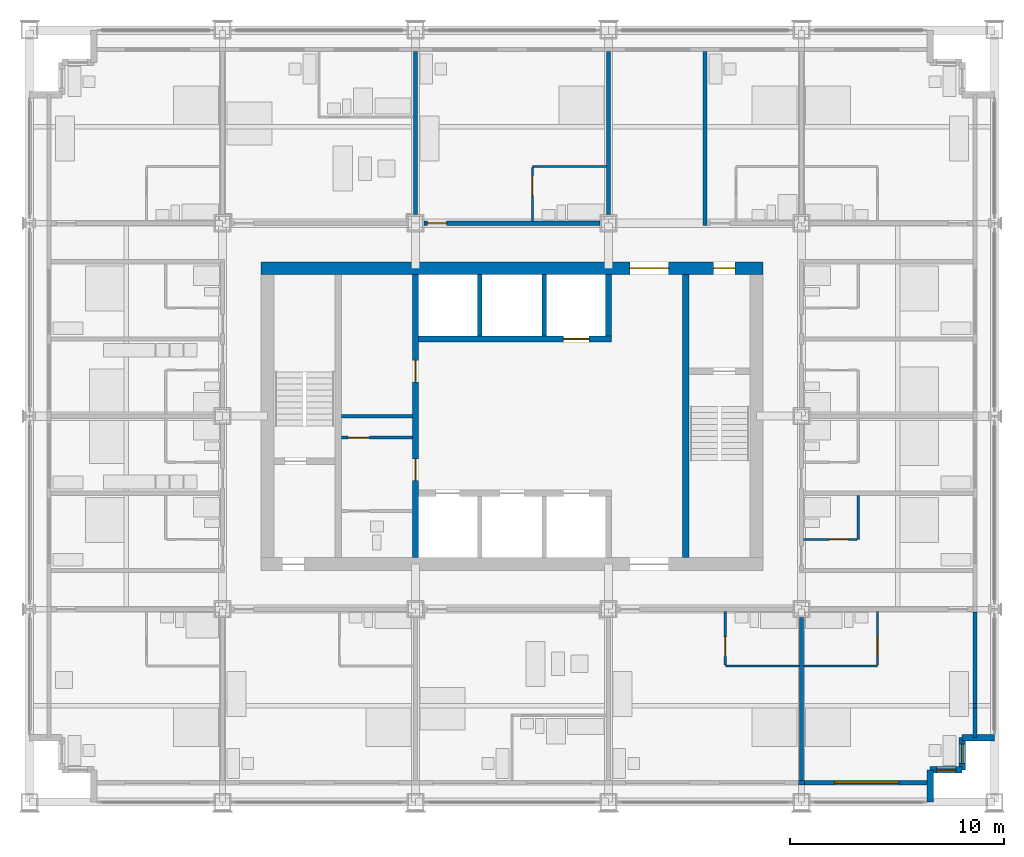
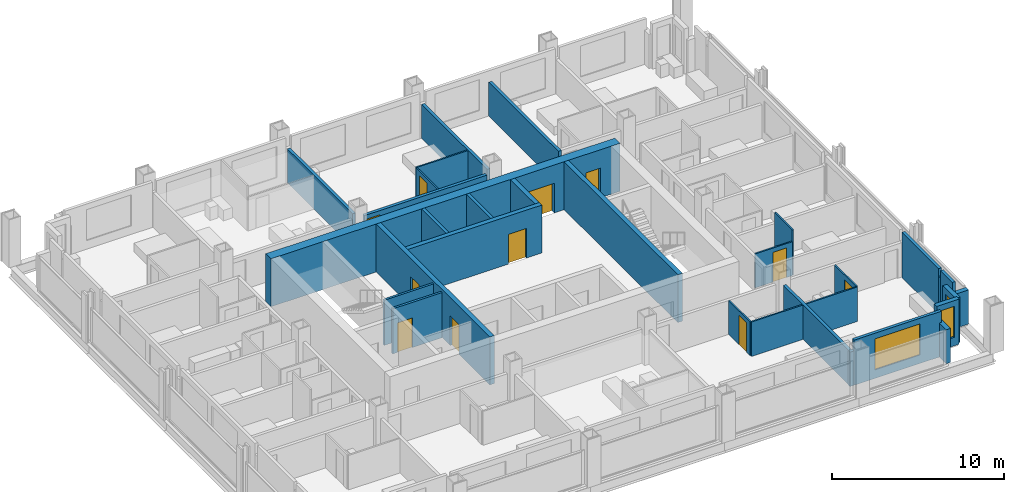
# One storey, part 11 of 16: 31 walls, 11 doors, 3 windows, 14 openings.
"""IFC4 building model written with IfcOpenShell, lengths in metres."""

from ifc_helpers import new_model, si_unit, direction, frame, frame_2d, origin, place, context, subcontext, project, spatial, rectangle, extrude, material, layer, layer_set, type_object, element, fill, save


model = new_model("IFC4")

# Units and contexts
model_context = context("Model", 3, precision=1e-05, world=origin(), true_north=direction((0.0, 1.0)))
body_context = subcontext(model_context, "Body", "Model", "MODEL_VIEW")
ifc_project = project(units=[si_unit("LENGTHUNIT", "METRE"), si_unit("AREAUNIT", "SQUARE_METRE"), si_unit("VOLUMEUNIT", "CUBIC_METRE"), si_unit("PLANEANGLEUNIT", "RADIAN"), si_unit("MASSUNIT", "GRAM", prefix="KILO")], contexts=[model_context])

# Site, building, storey
site_placement = place(None, origin())
site = spatial("IfcSite", under=ifc_project, at=site_placement, CompositionType="ELEMENT")
building_placement = place(site_placement, origin())
building = spatial("IfcBuilding", under=site, at=building_placement, Name="Loomwork Tower", CompositionType="ELEMENT")
storey_placement = place(building_placement, frame((0.0, 0.0, 114.60009765625)))
storey = spatial("IfcBuildingStorey", under=building, at=storey_placement, Name="L30", CompositionType="ELEMENT", Elevation=114.60009765625)

# Wall, openings, doors
ifc_material_1 = material(Name="Concrete 14000 psi (97 MPa)", Category="concrete")
ifc_layer_1 = layer(ifc_material_1, 0.300048828125)
ifc_layer_set_1 = layer_set([ifc_layer_1], Name="Core shear wall 300")
wall_type_1 = type_object("IfcWallType", Name="Core shear wall 300", PredefinedType="SHEAR", material=ifc_layer_set_1)
wall_1_placement = place(storey_placement, frame((18.0, 11.39990234375, 0.0), z_axis=(0.0, 0.0, 1.0), x_axis=(0.0, 1.0, 0.0)))
wall_1 = element("IfcWall", 1, at=wall_1_placement, inside=storey, type_object=wall_type_1, Name="Lobby west wall L30", PredefinedType="SHEAR", context=body_context, shape_type="SweptSolid", body=[
    extrude(rectangle(XDim=13.2001953125, YDim=0.300048828125, at=frame_2d((6.60009765625, 0.0))), origin(), (0.0, 0.0, 1.0), 3.39990234375),
])
opening_1_placement = place(wall_1_placement, frame((3.60009765625, 0.0, 0.0)))
opening_1 = element("IfcOpeningElement", 2, at=opening_1_placement, cuts=wall_1, Name="Opening D5", PredefinedType="OPENING", context=body_context, shape_type="SweptSolid", body=[
    extrude(rectangle(XDim=1.0, YDim=2.10009765625, at=frame_2d((0.5, 1.050048828125))), frame((0.0, 0.159912109375, 0.0), z_axis=(0.0, -1.0, 0.0), x_axis=(1.0, 0.0, 0.0)), (0.0, 0.0, 1.0), 0.320068359375),
])
opening_2_placement = place(wall_1_placement, frame((8.199951171875, 0.0, 0.0)))
opening_2 = element("IfcOpeningElement", 3, at=opening_2_placement, cuts=wall_1, Name="Opening D5", PredefinedType="OPENING", context=body_context, shape_type="SweptSolid", body=[
    extrude(rectangle(XDim=1.0, YDim=2.10009765625, at=frame_2d((0.5, 1.050048828125))), frame((0.0, 0.159912109375, 0.0), z_axis=(0.0, -1.0, 0.0), x_axis=(1.0, 0.0, 0.0)), (0.0, 0.0, 1.0), 0.320068359375),
])
ifc_material_2 = material(Name="Hollow metal door and frame")
door_type_1 = type_object("IfcDoorType", Name="Service door 1000", OperationType="SINGLE_SWING_LEFT", PredefinedType="DOOR", material=ifc_material_2)
door_1_placement = place(opening_1_placement, origin())
door_1 = element("IfcDoor", 4, at=door_1_placement, inside=storey, type_object=door_type_1, Name="Back-of-house door south", OperationType="SINGLE_SWING_LEFT", OverallHeight=2.10009765625, OverallWidth=1.0, PredefinedType="DOOR", context=body_context, shape_type="SweptSolid", body=[
    extrude(rectangle(XDim=1.0, YDim=2.10009765625, at=frame_2d((0.5, 1.050048828125))), frame((0.0, 0.02490234375, 0.0), z_axis=(0.0, -1.0, 0.0), x_axis=(1.0, 0.0, 0.0)), (0.0, 0.0, 1.0), 0.050048828125),
])
fill(opening_1, door_1)
door_2_placement = place(opening_2_placement, origin())
door_2 = element("IfcDoor", 5, at=door_2_placement, inside=storey, type_object=door_type_1, Name="Back-of-house door north", OperationType="SINGLE_SWING_RIGHT", OverallHeight=2.10009765625, OverallWidth=1.0, PredefinedType="DOOR", context=body_context, shape_type="SweptSolid", body=[
    extrude(rectangle(XDim=1.0, YDim=2.10009765625, at=frame_2d((0.5, 1.050048828125))), frame((0.0, 0.02490234375, 0.0), z_axis=(0.0, -1.0, 0.0), x_axis=(1.0, 0.0, 0.0)), (0.0, 0.0, 1.0), 0.050048828125),
])
fill(opening_2, door_2)

# Wall, opening, door
wall_2_placement = place(storey_placement, frame((18.14990234375, 21.60009765625, 0.0), z_axis=(0.0, 0.0, 1.0), x_axis=(1.0, 0.0, 0.0)))
wall_2 = element("IfcWall", 6, at=wall_2_placement, inside=storey, type_object=wall_type_1, Name="Lift front wall north L30", PredefinedType="SHEAR", context=body_context, shape_type="SweptSolid", body=[
    extrude(rectangle(XDim=9.0, YDim=0.300048828125, at=frame_2d((4.5, 0.0))), origin(), (0.0, 0.0, 1.0), 3.39990234375),
])
opening_3_placement = place(wall_2_placement, frame((6.75, 0.0, 0.0)))
opening_3 = element("IfcOpeningElement", 7, at=opening_3_placement, cuts=wall_2, Name="Opening LD2", PredefinedType="OPENING", context=body_context, shape_type="SweptSolid", body=[
    extrude(rectangle(XDim=1.199951171875, YDim=2.10009765625, at=frame_2d((0.60009765625, 1.050048828125))), frame((0.0, 0.159912109375, 0.0), z_axis=(0.0, -1.0, 0.0), x_axis=(1.0, 0.0, 0.0)), (0.0, 0.0, 1.0), 0.320068359375),
])
ifc_material_3 = material(Name="Hollow metal door and frame")
door_type_2 = type_object("IfcDoorType", Name="Lift landing door 1200", OperationType="SLIDING_TO_LEFT", PredefinedType="DOOR", material=ifc_material_3)
door_3_placement = place(opening_3_placement, origin())
door_3 = element("IfcDoor", 8, at=door_3_placement, inside=storey, type_object=door_type_2, Name="Lift landing door LF2", OperationType="SLIDING_TO_LEFT", OverallHeight=2.10009765625, OverallWidth=1.199951171875, PredefinedType="DOOR", context=body_context, shape_type="SweptSolid", body=[
    extrude(rectangle(XDim=1.199951171875, YDim=2.10009765625, at=frame_2d((0.60009765625, 1.050048828125))), frame((0.0, 0.02490234375, 0.0), z_axis=(0.0, -1.0, 0.0), x_axis=(1.0, 0.0, 0.0)), (0.0, 0.0, 1.0), 0.050048828125),
])
fill(opening_3, door_3)

# Walls
wall_3_placement = place(storey_placement, frame((27.0, 21.75, 0.0), z_axis=(0.0, 0.0, 1.0), x_axis=(0.0, 1.0, 0.0)))
element("IfcWall", 9, at=wall_3_placement, inside=storey, type_object=wall_type_1, Name="Lift shaft end wall north L30", PredefinedType="SHEAR", context=body_context, shape_type="SweptSolid", body=[
    extrude(rectangle(XDim=2.85009765625, YDim=0.300048828125, at=frame_2d((1.425048828125, 0.0))), origin(), (0.0, 0.0, 1.0), 3.39990234375),
])
wall_4_placement = place(storey_placement, frame((30.60009765625, 11.39990234375, 0.0), z_axis=(0.0, 0.0, 1.0), x_axis=(0.0, 1.0, 0.0)))
element("IfcWall", 10, at=wall_4_placement, inside=storey, type_object=wall_type_1, Name="Stair B west wall L30", PredefinedType="SHEAR", context=body_context, shape_type="SweptSolid", body=[
    extrude(rectangle(XDim=13.2001953125, YDim=0.300048828125, at=frame_2d((6.60009765625, 0.0))), origin(), (0.0, 0.0, 1.0), 3.39990234375),
])

# Wall, openings, doors
ifc_material_4 = material(Name="Concrete 14000 psi (97 MPa)", Category="concrete")
ifc_layer_2 = layer(ifc_material_4, 0.60009765625)
ifc_layer_set_2 = layer_set([ifc_layer_2], Name="Core shear wall 600")
wall_type_2 = type_object("IfcWallType", Name="Core shear wall 600", PredefinedType="SHEAR", material=ifc_layer_set_2)
wall_5_placement = place(storey_placement, frame((10.800048828125, 24.89990234375, 0.0), z_axis=(0.0, 0.0, 1.0), x_axis=(1.0, 0.0, 0.0)))
wall_5 = element("IfcWall", 11, at=wall_5_placement, inside=storey, type_object=wall_type_2, Name="Core wall north L30", PredefinedType="SHEAR", context=body_context, shape_type="SweptSolid", body=[
    extrude(rectangle(XDim=23.39990234375, YDim=0.60009765625, at=frame_2d((11.699951171875, 0.0))), origin(), (0.0, 0.0, 1.0), 3.39990234375),
])
opening_4_placement = place(wall_5_placement, frame((17.199951171875, 0.0, 0.0)))
opening_4 = element("IfcOpeningElement", 12, at=opening_4_placement, cuts=wall_5, Name="Opening D6", PredefinedType="OPENING", context=body_context, shape_type="SweptSolid", body=[
    extrude(rectangle(XDim=1.800048828125, YDim=2.10009765625, at=frame_2d((0.89990234375, 1.050048828125))), frame((0.0, 0.31005859375, 0.0), z_axis=(0.0, -1.0, 0.0), x_axis=(1.0, 0.0, 0.0)), (0.0, 0.0, 1.0), 0.6201171875),
])
opening_5_placement = place(wall_5_placement, frame((21.10009765625, 0.0, 0.0)))
opening_5 = element("IfcOpeningElement", 13, at=opening_5_placement, cuts=wall_5, Name="Opening D4", PredefinedType="OPENING", context=body_context, shape_type="SweptSolid", body=[
    extrude(rectangle(XDim=1.0, YDim=2.10009765625, at=frame_2d((0.5, 1.050048828125))), frame((0.0, 0.31005859375, 0.0), z_axis=(0.0, -1.0, 0.0), x_axis=(1.0, 0.0, 0.0)), (0.0, 0.0, 1.0), 0.6201171875),
])
ifc_material_5 = material(Name="Hollow metal door and frame")
door_type_3 = type_object("IfcDoorType", Name="Lobby passage double door 1800", OperationType="DOUBLE_DOOR_SINGLE_SWING", PredefinedType="DOOR", material=ifc_material_5)
door_4_placement = place(opening_4_placement, frame((1.800048828125, 0.0, 0.0), z_axis=(0.0, 0.0, 1.0), x_axis=(-1.0, 0.0, 0.0)))
door_4 = element("IfcDoor", 14, at=door_4_placement, inside=storey, type_object=door_type_3, Name="Lobby passage door north", OperationType="DOUBLE_DOOR_SINGLE_SWING", OverallHeight=2.10009765625, OverallWidth=1.800048828125, PredefinedType="DOOR", context=body_context, shape_type="SweptSolid", body=[
    extrude(rectangle(XDim=1.800048828125, YDim=2.10009765625, at=frame_2d((0.89990234375, 1.050048828125))), frame((0.0, 0.02490234375, 0.0), z_axis=(0.0, -1.0, 0.0), x_axis=(1.0, 0.0, 0.0)), (0.0, 0.0, 1.0), 0.050048828125),
])
fill(opening_4, door_4)
ifc_material_6 = material(Name="Hollow metal door and frame")
door_type_4 = type_object("IfcDoorType", Name="Stair door 1000", OperationType="SINGLE_SWING_RIGHT", PredefinedType="DOOR", material=ifc_material_6)
door_5_placement = place(opening_5_placement, frame((1.0, 0.0, 0.0), z_axis=(0.0, 0.0, 1.0), x_axis=(-1.0, 0.0, 0.0)))
door_5 = element("IfcDoor", 15, at=door_5_placement, inside=storey, type_object=door_type_4, Name="Stair B vestibule door", OperationType="SINGLE_SWING_LEFT", OverallHeight=2.10009765625, OverallWidth=1.0, PredefinedType="DOOR", context=body_context, shape_type="SweptSolid", body=[
    extrude(rectangle(XDim=1.0, YDim=2.10009765625, at=frame_2d((0.5, 1.050048828125))), frame((0.0, 0.02490234375, 0.0), z_axis=(0.0, -1.0, 0.0), x_axis=(1.0, 0.0, 0.0)), (0.0, 0.0, 1.0), 0.050048828125),
])
fill(opening_5, door_5)

# Wall, opening, door
ifc_material_7 = material(Name="Gypsum board on steel studs, one-hour", Category="steel")
ifc_layer_3 = layer(ifc_material_7, 0.199951171875)
ifc_layer_set_3 = layer_set([ifc_layer_3], Name="Corridor wall 200")
wall_type_3 = type_object("IfcWallType", Name="Corridor wall 200", PredefinedType="PARTITIONING", material=ifc_layer_set_3)
wall_6_placement = place(storey_placement, frame((18.39990234375, 27.0, 0.0), z_axis=(0.0, 0.0, 1.0), x_axis=(1.0, 0.0, 0.0)))
wall_6 = element("IfcWall", 16, at=wall_6_placement, inside=storey, type_object=wall_type_3, Name="North corridor wall 3", PredefinedType="PARTITIONING", context=body_context, shape_type="SweptSolid", body=[
    extrude(rectangle(XDim=8.2001953125, YDim=0.199951171875, at=frame_2d((4.10009765625, 0.0))), origin(), (0.0, 0.0, 1.0), 2.40478515625),
])
opening_6_placement = place(wall_6_placement, frame((0.14990234375, 0.0, 0.0)))
opening_6 = element("IfcOpeningElement", 17, at=opening_6_placement, cuts=wall_6, Name="Opening D1", PredefinedType="OPENING", context=body_context, shape_type="SweptSolid", body=[
    extrude(rectangle(XDim=0.89990234375, YDim=2.10009765625, at=frame_2d((0.449951171875, 1.050048828125))), frame((0.0, 0.10986328125, 0.0), z_axis=(0.0, -1.0, 0.0), x_axis=(1.0, 0.0, 0.0)), (0.0, 0.0, 1.0), 0.219970703125),
])
ifc_material_8 = material(Name="Hollow metal door and frame")
door_type_5 = type_object("IfcDoorType", Name="Guest room entry door 900", OperationType="SINGLE_SWING_LEFT", PredefinedType="DOOR", material=ifc_material_8)
door_6_placement = place(opening_6_placement, origin())
door_6 = element("IfcDoor", 18, at=door_6_placement, inside=storey, type_object=door_type_5, Name="Guest room entry door L30 8", OperationType="SINGLE_SWING_LEFT", OverallHeight=2.10009765625, OverallWidth=0.89990234375, PredefinedType="DOOR", context=body_context, shape_type="SweptSolid", body=[
    extrude(rectangle(XDim=0.89990234375, YDim=2.10009765625, at=frame_2d((0.449951171875, 1.050048828125))), frame((0.0, 0.02490234375, 0.0), z_axis=(0.0, -1.0, 0.0), x_axis=(1.0, 0.0, 0.0)), (0.0, 0.0, 1.0), 0.050048828125),
])
fill(opening_6, door_6)

# Wall
ifc_material_9 = material(Name="Cement board on steel studs", Category="steel")
ifc_layer_4 = layer(ifc_material_9, 0.10009765625)
ifc_layer_set_4 = layer_set([ifc_layer_4], Name="En-suite partition 100")
wall_type_4 = type_object("IfcWallType", Name="En-suite partition 100", PredefinedType="PARTITIONING", material=ifc_layer_set_4)
wall_7_placement = place(storey_placement, frame((32.449951171875, 6.35009765625, 0.0), z_axis=(0.0, 0.0, 1.0), x_axis=(1.0, 0.0, 0.0)))
element("IfcWall", 19, at=wall_7_placement, inside=storey, type_object=wall_type_4, Name="En-suite wall L30 room 4", PredefinedType="PARTITIONING", context=body_context, shape_type="SweptSolid", body=[
    extrude(rectangle(XDim=3.449951171875, YDim=0.10009765625, at=frame_2d((1.72509765625, 0.0))), origin(), (0.0, 0.0, 1.0), 2.43798828125),
])

# Wall, opening, door
wall_8_placement = place(storey_placement, frame((32.449951171875, 8.89990234375, 0.0), z_axis=(0.0, 0.0, 1.0), x_axis=(0.0, -1.0, 0.0)))
wall_8 = element("IfcWall", 20, at=wall_8_placement, inside=storey, type_object=wall_type_4, Name="En-suite side wall L30 room 4", PredefinedType="PARTITIONING", context=body_context, shape_type="SweptSolid", body=[
    extrude(rectangle(XDim=2.5, YDim=0.10009765625, at=frame_2d((1.25, 0.0))), origin(), (0.0, 0.0, 1.0), 2.40380859375),
])
opening_7_placement = place(wall_8_placement, frame((1.199951171875, 0.0, 0.0)))
opening_7 = element("IfcOpeningElement", 21, at=opening_7_placement, cuts=wall_8, Name="Opening D2", PredefinedType="OPENING", context=body_context, shape_type="SweptSolid", body=[
    extrude(rectangle(XDim=0.89990234375, YDim=2.10009765625, at=frame_2d((0.449951171875, 1.050048828125))), frame((0.0, 0.06005859375, 0.0), z_axis=(0.0, -1.0, 0.0), x_axis=(1.0, 0.0, 0.0)), (0.0, 0.0, 1.0), 0.1201171875),
])
ifc_material_10 = material(Name="Hollow metal door and frame")
door_type_6 = type_object("IfcDoorType", Name="En-suite door 900", OperationType="SINGLE_SWING_LEFT", PredefinedType="DOOR", material=ifc_material_10)
door_7_placement = place(opening_7_placement, origin())
door_7 = element("IfcDoor", 22, at=door_7_placement, inside=storey, type_object=door_type_6, Name="En-suite door room 4", OperationType="SINGLE_SWING_RIGHT", OverallHeight=2.10009765625, OverallWidth=0.89990234375, PredefinedType="DOOR", context=body_context, shape_type="SweptSolid", body=[
    extrude(rectangle(XDim=0.89990234375, YDim=2.10009765625, at=frame_2d((0.449951171875, 1.050048828125))), frame((0.0, 0.02490234375, 0.0), z_axis=(0.0, -1.0, 0.0), x_axis=(1.0, 0.0, 0.0)), (0.0, 0.0, 1.0), 0.050048828125),
])
fill(opening_7, door_7)

# Wall
wall_9_placement = place(storey_placement, frame((36.10009765625, 6.35009765625, 0.0), z_axis=(0.0, 0.0, 1.0), x_axis=(1.0, 0.0, 0.0)))
element("IfcWall", 23, at=wall_9_placement, inside=storey, type_object=wall_type_4, Name="En-suite wall L30 room 5", PredefinedType="PARTITIONING", context=body_context, shape_type="SweptSolid", body=[
    extrude(rectangle(XDim=3.449951171875, YDim=0.10009765625, at=frame_2d((1.72509765625, 0.0))), origin(), (0.0, 0.0, 1.0), 2.43798828125),
])

# Wall, opening, door
wall_10_placement = place(storey_placement, frame((39.550048828125, 8.89990234375, 0.0), z_axis=(0.0, 0.0, 1.0), x_axis=(0.0, -1.0, 0.0)))
wall_10 = element("IfcWall", 24, at=wall_10_placement, inside=storey, type_object=wall_type_4, Name="En-suite side wall L30 room 5", PredefinedType="PARTITIONING", context=body_context, shape_type="SweptSolid", body=[
    extrude(rectangle(XDim=2.5, YDim=0.10009765625, at=frame_2d((1.25, 0.0))), origin(), (0.0, 0.0, 1.0), 2.43798828125),
])
opening_8_placement = place(wall_10_placement, frame((1.199951171875, 0.0, 0.0)))
opening_8 = element("IfcOpeningElement", 25, at=opening_8_placement, cuts=wall_10, Name="Opening D2", PredefinedType="OPENING", context=body_context, shape_type="SweptSolid", body=[
    extrude(rectangle(XDim=0.89990234375, YDim=2.10009765625, at=frame_2d((0.449951171875, 1.050048828125))), frame((0.0, 0.06005859375, 0.0), z_axis=(0.0, -1.0, 0.0), x_axis=(1.0, 0.0, 0.0)), (0.0, 0.0, 1.0), 0.1201171875),
])
door_8_placement = place(opening_8_placement, frame((0.89990234375, 0.0, 0.0), z_axis=(0.0, 0.0, 1.0), x_axis=(-1.0, 0.0, 0.0)))
door_8 = element("IfcDoor", 26, at=door_8_placement, inside=storey, type_object=door_type_6, Name="En-suite door room 5", OperationType="SINGLE_SWING_LEFT", OverallHeight=2.10009765625, OverallWidth=0.89990234375, PredefinedType="DOOR", context=body_context, shape_type="SweptSolid", body=[
    extrude(rectangle(XDim=0.89990234375, YDim=2.10009765625, at=frame_2d((0.449951171875, 1.050048828125))), frame((0.0, 0.02490234375, 0.0), z_axis=(0.0, -1.0, 0.0), x_axis=(1.0, 0.0, 0.0)), (0.0, 0.0, 1.0), 0.050048828125),
])
fill(opening_8, door_8)

# Wall
wall_11_placement = place(storey_placement, frame((23.449951171875, 29.64990234375, 0.0), z_axis=(0.0, 0.0, 1.0), x_axis=(1.0, 0.0, 0.0)))
element("IfcWall", 27, at=wall_11_placement, inside=storey, type_object=wall_type_4, Name="En-suite wall L30 room 8", PredefinedType="PARTITIONING", context=body_context, shape_type="SweptSolid", body=[
    extrude(rectangle(XDim=3.449951171875, YDim=0.10009765625, at=frame_2d((1.72509765625, 0.0))), origin(), (0.0, 0.0, 1.0), 2.40380859375),
])

# Wall, opening, door
wall_12_placement = place(storey_placement, frame((23.449951171875, 27.10009765625, 0.0), z_axis=(0.0, 0.0, 1.0), x_axis=(0.0, 1.0, 0.0)))
wall_12 = element("IfcWall", 28, at=wall_12_placement, inside=storey, type_object=wall_type_4, Name="En-suite side wall L30 room 8", PredefinedType="PARTITIONING", context=body_context, shape_type="SweptSolid", body=[
    extrude(rectangle(XDim=2.5, YDim=0.10009765625, at=frame_2d((1.25, 0.0))), origin(), (0.0, 0.0, 1.0), 2.40380859375),
])
opening_9_placement = place(wall_12_placement, frame((1.199951171875, 0.0, 0.0)))
opening_9 = element("IfcOpeningElement", 29, at=opening_9_placement, cuts=wall_12, Name="Opening D2", PredefinedType="OPENING", context=body_context, shape_type="SweptSolid", body=[
    extrude(rectangle(XDim=0.89990234375, YDim=2.10009765625, at=frame_2d((0.449951171875, 1.050048828125))), frame((0.0, 0.06005859375, 0.0), z_axis=(0.0, -1.0, 0.0), x_axis=(1.0, 0.0, 0.0)), (0.0, 0.0, 1.0), 0.1201171875),
])
door_9_placement = place(opening_9_placement, frame((0.89990234375, 0.0, 0.0), z_axis=(0.0, 0.0, 1.0), x_axis=(-1.0, 0.0, 0.0)))
door_9 = element("IfcDoor", 30, at=door_9_placement, inside=storey, type_object=door_type_6, Name="En-suite door room 8", OperationType="SINGLE_SWING_LEFT", OverallHeight=2.10009765625, OverallWidth=0.89990234375, PredefinedType="DOOR", context=body_context, shape_type="SweptSolid", body=[
    extrude(rectangle(XDim=0.89990234375, YDim=2.10009765625, at=frame_2d((0.449951171875, 1.050048828125))), frame((0.0, 0.02490234375, 0.0), z_axis=(0.0, -1.0, 0.0), x_axis=(1.0, 0.0, 0.0)), (0.0, 0.0, 1.0), 0.050048828125),
])
fill(opening_9, door_9)

# Wall
wall_13_placement = place(storey_placement, frame((38.64990234375, 12.25, 0.0), z_axis=(0.0, 0.0, 1.0), x_axis=(0.0, 1.0, 0.0)))
element("IfcWall", 31, at=wall_13_placement, inside=storey, type_object=wall_type_4, Name="En-suite wall L30 room 15", PredefinedType="PARTITIONING", context=body_context, shape_type="SweptSolid", body=[
    extrude(rectangle(XDim=2.050048828125, YDim=0.10009765625, at=frame_2d((1.02490234375, 0.0))), origin(), (0.0, 0.0, 1.0), 3.199951171875),
])

# Wall, opening, door
wall_14_placement = place(storey_placement, frame((36.10009765625, 12.25, 0.0), z_axis=(0.0, 0.0, 1.0), x_axis=(1.0, 0.0, 0.0)))
wall_14 = element("IfcWall", 32, at=wall_14_placement, inside=storey, type_object=wall_type_4, Name="En-suite side wall L30 room 15", PredefinedType="PARTITIONING", context=body_context, shape_type="SweptSolid", body=[
    extrude(rectangle(XDim=2.5, YDim=0.10009765625, at=frame_2d((1.25, 0.0))), origin(), (0.0, 0.0, 1.0), 2.40380859375),
])
opening_10_placement = place(wall_14_placement, frame((1.199951171875, 0.0, 0.0)))
opening_10 = element("IfcOpeningElement", 33, at=opening_10_placement, cuts=wall_14, Name="Opening D2", PredefinedType="OPENING", context=body_context, shape_type="SweptSolid", body=[
    extrude(rectangle(XDim=0.89990234375, YDim=2.10009765625, at=frame_2d((0.449951171875, 1.050048828125))), frame((0.0, 0.06005859375, 0.0), z_axis=(0.0, -1.0, 0.0), x_axis=(1.0, 0.0, 0.0)), (0.0, 0.0, 1.0), 0.1201171875),
])
door_10_placement = place(opening_10_placement, origin())
door_10 = element("IfcDoor", 34, at=door_10_placement, inside=storey, type_object=door_type_6, Name="En-suite door room 15", OperationType="SINGLE_SWING_RIGHT", OverallHeight=2.10009765625, OverallWidth=0.89990234375, PredefinedType="DOOR", context=body_context, shape_type="SweptSolid", body=[
    extrude(rectangle(XDim=0.89990234375, YDim=2.10009765625, at=frame_2d((0.449951171875, 1.050048828125))), frame((0.0, 0.02490234375, 0.0), z_axis=(0.0, -1.0, 0.0), x_axis=(1.0, 0.0, 0.0)), (0.0, 0.0, 1.0), 0.050048828125),
])
fill(opening_10, door_10)

# Walls
ifc_material_11 = material(Name="Gypsum board on steel studs, acoustic", Category="steel")
ifc_layer_5 = layer(ifc_material_11, 0.199951171875)
ifc_layer_set_5 = layer_set([ifc_layer_5], Name="Guest room party wall 200")
wall_type_5 = type_object("IfcWallType", Name="Guest room party wall 200", PredefinedType="PARTITIONING", material=ifc_layer_set_5)
wall_15_placement = place(storey_placement, frame((36.0, 8.60009765625, 0.0), z_axis=(0.0, 0.0, 1.0), x_axis=(0.0, -1.0, 0.0)))
element("IfcWall", 35, at=wall_15_placement, inside=storey, type_object=wall_type_5, Name="Guest room party wall S 36", PredefinedType="PARTITIONING", context=body_context, shape_type="SweptSolid", body=[
    extrude(rectangle(XDim=7.60009765625, YDim=0.199951171875, at=frame_2d((3.800048828125, 0.0))), origin(), (0.0, 0.0, 1.0), 2.43798828125),
])
for number, where, z_axis, x_axis, name in (
    (36, (18.0, 27.39990234375, 0.0), (0.0, 0.0, 1.0), (0.0, 1.0, 0.0), "Guest room party wall N 18"),
    (37, (27.0, 27.39990234375, 0.0), (0.0, 0.0, 1.0), (0.0, 1.0, 0.0), "Guest room party wall N 27"),
):
    element("IfcWall", number, at=place(storey_placement, frame(where, z_axis=z_axis, x_axis=x_axis)), inside=storey, type_object=wall_type_5, Name=name, PredefinedType="PARTITIONING", context=body_context, shape_type="SweptSolid", body=[
        extrude(rectangle(XDim=7.60009765625, YDim=0.199951171875, at=frame_2d((3.800048828125, 0.0))), origin(), (0.0, 0.0, 1.0), 2.40478515625),
    ])
wall_16_placement = place(storey_placement, frame((31.5, 26.89990234375, 0.0), z_axis=(0.0, 0.0, 1.0), x_axis=(0.0, 1.0, 0.0)))
element("IfcWall", 38, at=wall_16_placement, inside=storey, type_object=wall_type_5, Name="Guest room party wall N 31.5", PredefinedType="PARTITIONING", context=body_context, shape_type="SweptSolid", body=[
    extrude(rectangle(XDim=8.10009765625, YDim=0.199951171875, at=frame_2d((4.050048828125, 0.0))), origin(), (0.0, 0.0, 1.0), 2.40380859375),
])
ifc_material_12 = material(Name="Insulated steel stud wall with gypsum lining", Category="steel")
ifc_layer_6 = layer(ifc_material_12, 0.199951171875)
ifc_layer_set_6 = layer_set([ifc_layer_6], Name="Inner skin wall 200")
wall_type_6 = type_object("IfcWallType", Name="Inner skin wall 200", PredefinedType="SOLIDWALL", material=ifc_layer_set_6)
wall_17_placement = place(storey_placement, frame((44.10009765625, 3.0, 0.0), z_axis=(0.0, 0.0, 1.0), x_axis=(0.0, 1.0, 0.0)))
element("IfcWall", 39, at=wall_17_placement, inside=storey, type_object=wall_type_6, Name="Inner skin wall E", PredefinedType="SOLIDWALL", context=body_context, shape_type="SweptSolid", body=[
    extrude(rectangle(XDim=1.392578125, YDim=0.199951171875, at=frame_2d((0.6962890625, 0.0))), origin(), (0.0, 0.0, 1.0), 3.199951171875),
])
wall_18_placement = place(storey_placement, frame((35.864501953125, 0.89990234375, 0.0), z_axis=(0.0, 0.0, 1.0), x_axis=(1.0, 0.0, 0.0)))
element("IfcWall", 40, at=wall_18_placement, inside=storey, type_object=wall_type_6, Name="Inner skin wall S bay 8", PredefinedType="SOLIDWALL", context=body_context, shape_type="SweptSolid", body=[
    extrude(rectangle(XDim=0.27099609375, YDim=0.199951171875, at=frame_2d((0.135498046875, 0.0))), origin(), (0.0, 0.0, 1.0), 2.43798828125),
])

# Wall, opening, window
wall_19_placement = place(storey_placement, frame((36.135498046875, 0.89990234375, 0.0), z_axis=(0.0, 0.0, 1.0), x_axis=(1.0, 0.0, 0.0)))
wall_19 = element("IfcWall", 41, at=wall_19_placement, inside=storey, type_object=wall_type_6, Name="Inner skin wall S bay 9", PredefinedType="SOLIDWALL", context=body_context, shape_type="SweptSolid", body=[
    extrude(rectangle(XDim=5.864501953125, YDim=0.199951171875, at=frame_2d((2.93212890625, 0.0))), origin(), (0.0, 0.0, 1.0), 3.199951171875),
])
opening_11_placement = place(wall_19_placement, frame((1.41455078125, 0.0, 0.60009765625)))
opening_11 = element("IfcOpeningElement", 42, at=opening_11_placement, cuts=wall_19, Name="Opening CH1", PredefinedType="OPENING", context=body_context, shape_type="SweptSolid", body=[
    extrude(rectangle(XDim=3.0, YDim=2.199951171875, at=frame_2d((1.5, 1.10009765625))), frame((0.0, 0.10986328125, 0.0), z_axis=(0.0, -1.0, 0.0), x_axis=(1.0, 0.0, 0.0)), (0.0, 0.0, 1.0), 0.219970703125),
])
ifc_material_13 = material(Name="Aluminium frame with clear insulated glass", Category="aluminium")
window_type_1 = type_object("IfcWindowType", Name="Chicago window 3000", PartitioningType="TRIPLE_PANEL_VERTICAL", PredefinedType="WINDOW", material=ifc_material_13)
window_1_placement = place(opening_11_placement, origin())
window_1 = element("IfcWindow", 43, at=window_1_placement, inside=storey, type_object=window_type_1, Name="Chicago window L30 bay 5", OverallHeight=2.199951171875, OverallWidth=3.0, PartitioningType="TRIPLE_PANEL_VERTICAL", PredefinedType="WINDOW", context=body_context, shape_type="SweptSolid", body=[
    extrude(rectangle(XDim=3.0, YDim=2.199951171875, at=frame_2d((1.5, 1.10009765625))), frame((0.0, 0.030029296875, 0.0), z_axis=(0.0, -1.0, 0.0), x_axis=(1.0, 0.0, 0.0)), (0.0, 0.0, 1.0), 0.06005859375),
])
fill(opening_11, window_1)

# Walls
wall_20_placement = place(storey_placement, frame((44.10009765625, 4.392578125, 0.0), z_axis=(0.0, 0.0, 1.0), x_axis=(0.0, 1.0, 0.0)))
element("IfcWall", 44, at=wall_20_placement, inside=storey, type_object=wall_type_6, Name="Inner skin wall E bay 2", PredefinedType="SOLIDWALL", context=body_context, shape_type="SweptSolid", body=[
    extrude(rectangle(XDim=0.21484375, YDim=0.199951171875, at=frame_2d((0.107421875, 0.0))), origin(), (0.0, 0.0, 1.0), 2.660888671875),
])
wall_21_placement = place(storey_placement, frame((44.10009765625, 4.607421875, 0.0), z_axis=(0.0, 0.0, 1.0), x_axis=(0.0, 1.0, 0.0)))
element("IfcWall", 45, at=wall_21_placement, inside=storey, type_object=wall_type_6, Name="Inner skin wall E bay 3", PredefinedType="SOLIDWALL", context=body_context, shape_type="SweptSolid", body=[
    extrude(rectangle(XDim=4.25732421875, YDim=0.199951171875, at=frame_2d((2.128662109375, 0.0))), origin(), (0.0, 0.0, 1.0), 3.199951171875),
])
ifc_material_14 = material(Name="Concrete 14000 psi (97 MPa)", Category="concrete")
ifc_layer_7 = layer(ifc_material_14, 0.199951171875)
ifc_layer_set_7 = layer_set([ifc_layer_7], Name="Lift shaft wall 200")
wall_type_7 = type_object("IfcWallType", Name="Lift shaft wall 200", PredefinedType="SHEAR", material=ifc_layer_set_7)
for number, where, z_axis, x_axis, name in (
    (46, (21.0, 21.75, 0.0), (0.0, 0.0, 1.0), (0.0, 1.0, 0.0), "Lift shaft separation wall north 1 L30"),
    (47, (24.0, 21.75, 0.0), (0.0, 0.0, 1.0), (0.0, 1.0, 0.0), "Lift shaft separation wall north 2 L30"),
):
    element("IfcWall", number, at=place(storey_placement, frame(where, z_axis=z_axis, x_axis=x_axis)), inside=storey, type_object=wall_type_7, Name=name, PredefinedType="SHEAR", context=body_context, shape_type="SweptSolid", body=[
        extrude(rectangle(XDim=2.85009765625, YDim=0.199951171875, at=frame_2d((1.425048828125, 0.0))), origin(), (0.0, 0.0, 1.0), 3.39990234375),
    ])
ifc_material_15 = material(Name="Limestone on concrete masonry", Category="masonry")
ifc_layer_8 = layer(ifc_material_15, 0.300048828125)
ifc_layer_set_8 = layer_set([ifc_layer_8], Name="Limestone corner wall 300")
wall_type_8 = type_object("IfcWallType", Name="Limestone corner wall 300", PredefinedType="SOLIDWALL", material=ifc_layer_set_8)
wall_22_placement = place(storey_placement, frame((42.0, 0.0, 0.0), z_axis=(0.0, 0.0, 1.0), x_axis=(0.0, 1.0, 0.0)))
element("IfcWall", 48, at=wall_22_placement, inside=storey, type_object=wall_type_8, Name="Stone corner wall SE 1", PredefinedType="SOLIDWALL", context=body_context, shape_type="SweptSolid", body=[
    extrude(rectangle(XDim=1.5, YDim=0.300048828125, at=frame_2d((0.75, 0.0))), origin(), (0.0, 0.0, 1.0), 2.419921875),
])

# Wall, opening, window
wall_23_placement = place(storey_placement, frame((42.0, 1.5, 0.0), z_axis=(0.0, 0.0, 1.0), x_axis=(1.0, 0.0, 0.0)))
wall_23 = element("IfcWall", 49, at=wall_23_placement, inside=storey, type_object=wall_type_8, Name="Stone corner wall SE 2", PredefinedType="SOLIDWALL", context=body_context, shape_type="SweptSolid", body=[
    extrude(rectangle(XDim=1.5, YDim=0.300048828125, at=frame_2d((0.75, 0.0))), origin(), (0.0, 0.0, 1.0), 3.199951171875),
])
opening_12_placement = place(wall_23_placement, frame((0.300048828125, 0.0, 0.60009765625)))
opening_12 = element("IfcOpeningElement", 50, at=opening_12_placement, cuts=wall_23, Name="Opening CH2", PredefinedType="OPENING", context=body_context, shape_type="SweptSolid", body=[
    extrude(rectangle(XDim=0.89990234375, YDim=2.199951171875, at=frame_2d((0.449951171875, 1.10009765625))), frame((0.0, 0.159912109375, 0.0), z_axis=(0.0, -1.0, 0.0), x_axis=(1.0, 0.0, 0.0)), (0.0, 0.0, 1.0), 0.320068359375),
])
ifc_material_16 = material(Name="Aluminium frame with clear insulated glass", Category="aluminium")
window_type_2 = type_object("IfcWindowType", Name="Corner window 900", PartitioningType="SINGLE_PANEL", PredefinedType="WINDOW", material=ifc_material_16)
window_2_placement = place(opening_12_placement, origin())
window_2 = element("IfcWindow", 51, at=window_2_placement, inside=storey, type_object=window_type_2, Name="Corner window SE", OverallHeight=2.199951171875, OverallWidth=0.89990234375, PartitioningType="SINGLE_PANEL", PredefinedType="WINDOW", context=body_context, shape_type="SweptSolid", body=[
    extrude(rectangle(XDim=0.89990234375, YDim=2.199951171875, at=frame_2d((0.449951171875, 1.10009765625))), frame((0.0, 0.030029296875, 0.0), z_axis=(0.0, -1.0, 0.0), x_axis=(1.0, 0.0, 0.0)), (0.0, 0.0, 1.0), 0.06005859375),
])
fill(opening_12, window_2)

wall_24_placement = place(storey_placement, frame((43.5, 1.5, 0.0), z_axis=(0.0, 0.0, 1.0), x_axis=(0.0, 1.0, 0.0)))
wall_24 = element("IfcWall", 52, at=wall_24_placement, inside=storey, type_object=wall_type_8, Name="Stone corner wall SE 3", PredefinedType="SOLIDWALL", context=body_context, shape_type="SweptSolid", body=[
    extrude(rectangle(XDim=1.5, YDim=0.300048828125, at=frame_2d((0.75, 0.0))), origin(), (0.0, 0.0, 1.0), 3.199951171875),
])
opening_13_placement = place(wall_24_placement, frame((0.300048828125, 0.0, 0.60009765625)))
opening_13 = element("IfcOpeningElement", 53, at=opening_13_placement, cuts=wall_24, Name="Opening CH2", PredefinedType="OPENING", context=body_context, shape_type="SweptSolid", body=[
    extrude(rectangle(XDim=0.89990234375, YDim=2.199951171875, at=frame_2d((0.449951171875, 1.10009765625))), frame((0.0, 0.159912109375, 0.0), z_axis=(0.0, -1.0, 0.0), x_axis=(1.0, 0.0, 0.0)), (0.0, 0.0, 1.0), 0.320068359375),
])
window_3_placement = place(opening_13_placement, origin())
window_3 = element("IfcWindow", 54, at=window_3_placement, inside=storey, type_object=window_type_2, Name="Corner window SE", OverallHeight=2.199951171875, OverallWidth=0.89990234375, PartitioningType="SINGLE_PANEL", PredefinedType="WINDOW", context=body_context, shape_type="SweptSolid", body=[
    extrude(rectangle(XDim=0.89990234375, YDim=2.199951171875, at=frame_2d((0.449951171875, 1.10009765625))), frame((0.0, 0.030029296875, 0.0), z_axis=(0.0, -1.0, 0.0), x_axis=(1.0, 0.0, 0.0)), (0.0, 0.0, 1.0), 0.06005859375),
])
fill(opening_13, window_3)

# Walls
wall_25_placement = place(storey_placement, frame((43.5, 3.0, 0.0), z_axis=(0.0, 0.0, 1.0), x_axis=(1.0, 0.0, 0.0)))
element("IfcWall", 55, at=wall_25_placement, inside=storey, type_object=wall_type_8, Name="Stone corner wall SE 4", PredefinedType="SOLIDWALL", context=body_context, shape_type="SweptSolid", body=[
    extrude(rectangle(XDim=1.5, YDim=0.300048828125, at=frame_2d((0.75, 0.0))), origin(), (0.0, 0.0, 1.0), 2.419921875),
])
ifc_material_17 = material(Name="Gypsum board on steel studs", Category="steel")
ifc_layer_9 = layer(ifc_material_17, 0.14990234375)
ifc_layer_set_9 = layer_set([ifc_layer_9], Name="Partition 150 two-hour")
wall_type_9 = type_object("IfcWallType", Name="Partition 150 two-hour", PredefinedType="PARTITIONING", material=ifc_layer_set_9)
wall_26_placement = place(storey_placement, frame((14.550048828125, 18.0, 0.0), z_axis=(0.0, 0.0, 1.0), x_axis=(1.0, 0.0, 0.0)))
element("IfcWall", 56, at=wall_26_placement, inside=storey, type_object=wall_type_9, Name="Back-of-house dividing wall L30", PredefinedType="PARTITIONING", context=body_context, shape_type="SweptSolid", body=[
    extrude(rectangle(XDim=3.300048828125, YDim=0.14990234375, at=frame_2d((1.64990234375, 0.0))), origin(), (0.0, 0.0, 1.0), 3.199951171875),
])

# Wall, opening, door
ifc_material_18 = material(Name="Gypsum board on steel studs, one-hour", Category="steel")
ifc_layer_10 = layer(ifc_material_18, 0.14990234375)
ifc_layer_set_10 = layer_set([ifc_layer_10], Name="Service partition 150")
wall_type_10 = type_object("IfcWallType", Name="Service partition 150", PredefinedType="PARTITIONING", material=ifc_layer_set_10)
wall_27_placement = place(storey_placement, frame((14.550048828125, 17.0, 0.0), z_axis=(0.0, 0.0, 1.0), x_axis=(1.0, 0.0, 0.0)))
wall_27 = element("IfcWall", 57, at=wall_27_placement, inside=storey, type_object=wall_type_10, Name="Riser enclosure L30", PredefinedType="PARTITIONING", context=body_context, shape_type="SweptSolid", body=[
    extrude(rectangle(XDim=3.300048828125, YDim=0.14990234375, at=frame_2d((1.64990234375, 0.0))), origin(), (0.0, 0.0, 1.0), 3.199951171875),
])
opening_14_placement = place(wall_27_placement, frame((0.300048828125, 0.0, 0.0)))
opening_14 = element("IfcOpeningElement", 58, at=opening_14_placement, cuts=wall_27, Name="Opening D18", PredefinedType="OPENING", context=body_context, shape_type="SweptSolid", body=[
    extrude(rectangle(XDim=1.0, YDim=2.10009765625, at=frame_2d((0.5, 1.050048828125))), frame((0.0, 0.0849609375, 0.0), z_axis=(0.0, -1.0, 0.0), x_axis=(1.0, 0.0, 0.0)), (0.0, 0.0, 1.0), 0.169921875),
])
ifc_material_19 = material(Name="Hollow metal door and frame")
door_type_7 = type_object("IfcDoorType", Name="Ninety-minute service door 1000", OperationType="SINGLE_SWING_LEFT", PredefinedType="DOOR", material=ifc_material_19)
door_11_placement = place(opening_14_placement, frame((1.0, 0.0, 0.0), z_axis=(0.0, 0.0, 1.0), x_axis=(-1.0, 0.0, 0.0)))
door_11 = element("IfcDoor", 59, at=door_11_placement, inside=storey, type_object=door_type_7, Name="Riser access door", OperationType="SINGLE_SWING_RIGHT", OverallHeight=2.10009765625, OverallWidth=1.0, PredefinedType="DOOR", context=body_context, shape_type="SweptSolid", body=[
    extrude(rectangle(XDim=1.0, YDim=2.10009765625, at=frame_2d((0.5, 1.050048828125))), frame((0.0, 0.02490234375, 0.0), z_axis=(0.0, -1.0, 0.0), x_axis=(1.0, 0.0, 0.0)), (0.0, 0.0, 1.0), 0.050048828125),
])
fill(opening_14, door_11)

save(model, "model.ifc")
